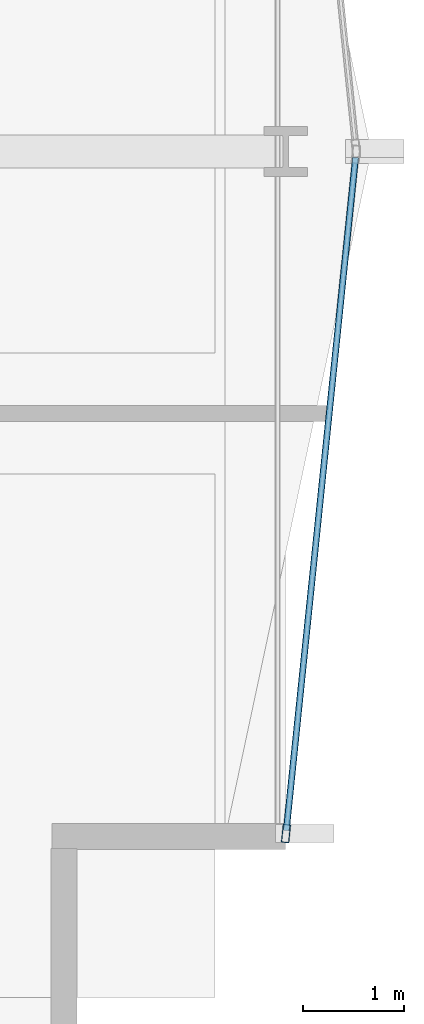
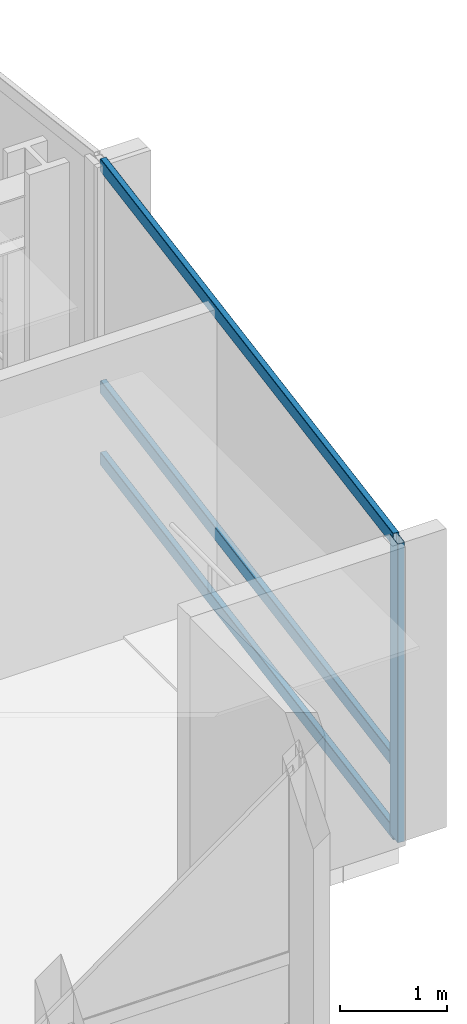
# One storey, part 13 of 34: 4 members, 1 element without a shape of its own.
"""IFC4 building model written with IfcOpenShell, lengths in metres."""

from ifc_helpers import new_model, si_unit, direction, frame, origin, origin_2d, place, context, subcontext, project, spatial, hollow_rectangle, extrude, material, layer, layer_set, material_profile, profile_set, type_object, element, aggregate, save


model = new_model("IFC4")

# Units and contexts
model_context = context("Model", 3, precision=1e-05, world=origin(), true_north=direction((0.0, 1.0)))
body_context = subcontext(model_context, "Body", "Model", "MODEL_VIEW")
ifc_project = project(units=[si_unit("LENGTHUNIT", "METRE"), si_unit("AREAUNIT", "SQUARE_METRE"), si_unit("VOLUMEUNIT", "CUBIC_METRE"), si_unit("PLANEANGLEUNIT", "RADIAN"), si_unit("MASSUNIT", "GRAM", prefix="KILO")], contexts=[model_context])

# Site, building, storey
site_placement = place(None, origin())
site = spatial("IfcSite", under=ifc_project, at=site_placement, CompositionType="ELEMENT")
building_placement = place(site_placement, origin())
building = spatial("IfcBuilding", under=site, at=building_placement, Name="Solvaryn Broadcast Tower", CompositionType="ELEMENT")
storey_placement = place(building_placement, frame((0.0, 0.0, 36.0)))
storey = spatial("IfcBuildingStorey", under=building, at=storey_placement, Name="L07", CompositionType="ELEMENT", Elevation=36.0)

# Curtain wall, members
ifc_material_1 = material(Name="Aluminium and Terracotta Unitised Curtain Wall", Category="masonry")
ifc_layer = layer(ifc_material_1, 0.199951171875)
ifc_layer_set = layer_set([ifc_layer], Name="CW-SYS2-LOWMID")
curtain_wall_type = type_object("IfcCurtainWallType", Name="CW-SYS2-LOWMID", PredefinedType="NOTDEFINED", material=ifc_layer_set)
curtain_wall_placement = place(storey_placement, origin())
curtain_wall = element("IfcCurtainWall", 1, at=curtain_wall_placement, inside=storey, type_object=curtain_wall_type, Name="L07 Curtain Wall ET2", PredefinedType="NOTDEFINED")
ifc_material_2 = material(Name="Anodised Aluminium 6063-T6", Category="aluminium")
ifc_material_profile_1 = material_profile(ifc_material_2, hollow_rectangle(XDim=0.074951171875, YDim=0.179931640625, WallThickness=0.00390625, InnerFilletRadius=0.00390625, OuterFilletRadius=0.008056640625, at=origin_2d()))
ifc_profile_set_1 = profile_set([ifc_material_profile_1], Name="Anodised Aluminium 6063-T6")
member_type_1 = type_object("IfcMemberType", Name="CW-MUL-180", PredefinedType="MULLION", material=ifc_profile_set_1)
member_1_placement = place(storey_placement, frame((63.003173828125, 11.229736328125, 0.0), z_axis=(0.0, 0.0, 1.0), x_axis=(0.99474329889, -0.10240004548, 0.0)))
member_1 = element("IfcMember", 2, at=member_1_placement, type_object=member_type_1, Name="CWS2 mullion 2", PredefinedType="MULLION", context=body_context, shape_type="SweptSolid", body=[
    extrude(hollow_rectangle(XDim=0.074951171875, YDim=0.179931640625, WallThickness=0.00390625, InnerFilletRadius=0.00390625, OuterFilletRadius=0.008056640625, at=origin_2d()), origin(), (0.0, 0.0, 1.0), 3.419921875),
])
ifc_material_3 = material(Name="Anodised Aluminium 6063-T6", Category="aluminium")
ifc_material_profile_2 = material_profile(ifc_material_3, hollow_rectangle(XDim=0.06494140625, YDim=0.14990234375, WallThickness=0.00390625, InnerFilletRadius=0.00390625, OuterFilletRadius=0.008056640625, at=origin_2d()))
ifc_profile_set_2 = profile_set([ifc_material_profile_2], Name="Anodised Aluminium 6063-T6")
member_type_2 = type_object("IfcMemberType", Name="CW-TRN-150", PredefinedType="USERDEFINED", material=ifc_profile_set_2)
member_2_placement = place(storey_placement, frame((63.69384765625, 17.9404296875, 0.030029296875), z_axis=(-0.102404277363, -0.994742863245, 0.0), x_axis=(0.994742863245, -0.102404277363, 0.0)))
member_2 = element("IfcMember", 3, at=member_2_placement, type_object=member_type_2, Name="CWS2 transom 1.1", ObjectType="TRANSOM", PredefinedType="USERDEFINED", context=body_context, shape_type="SweptSolid", body=[
    extrude(hollow_rectangle(XDim=0.06494140625, YDim=0.14990234375, WallThickness=0.00390625, InnerFilletRadius=0.00390625, OuterFilletRadius=0.008056640625, at=origin_2d()), origin(), (0.0, 0.0, 1.0), 6.716064453125),
])
member_3_placement = place(storey_placement, frame((63.69384765625, 17.9404296875, 0.85009765625), z_axis=(-0.102404277363, -0.994742863245, 0.0), x_axis=(0.994742863245, -0.102404277363, 0.0)))
member_3 = element("IfcMember", 4, at=member_3_placement, type_object=member_type_2, Name="CWS2 transom 1.2", ObjectType="TRANSOM", PredefinedType="USERDEFINED", context=body_context, shape_type="SweptSolid", body=[
    extrude(hollow_rectangle(XDim=0.06494140625, YDim=0.14990234375, WallThickness=0.00390625, InnerFilletRadius=0.00390625, OuterFilletRadius=0.008056640625, at=origin_2d()), origin(), (0.0, 0.0, 1.0), 6.716064453125),
])
member_4_placement = place(storey_placement, frame((63.69384765625, 17.9404296875, 3.389892578125), z_axis=(-0.102404277363, -0.994742863245, 0.0), x_axis=(0.994742863245, -0.102404277363, 0.0)))
member_4 = element("IfcMember", 5, at=member_4_placement, type_object=member_type_2, Name="CWS2 transom 1.3", ObjectType="TRANSOM", PredefinedType="USERDEFINED", context=body_context, shape_type="SweptSolid", body=[
    extrude(hollow_rectangle(XDim=0.06494140625, YDim=0.14990234375, WallThickness=0.00390625, InnerFilletRadius=0.00390625, OuterFilletRadius=0.008056640625, at=origin_2d()), origin(), (0.0, 0.0, 1.0), 6.716064453125),
])
aggregate(curtain_wall, [member_1, member_2, member_3, member_4])

save(model, "model.ifc")
